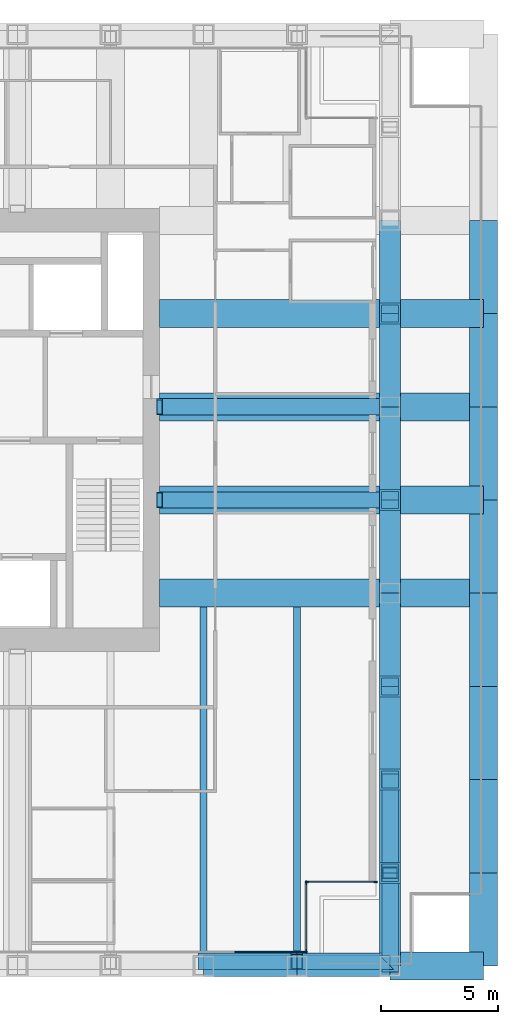
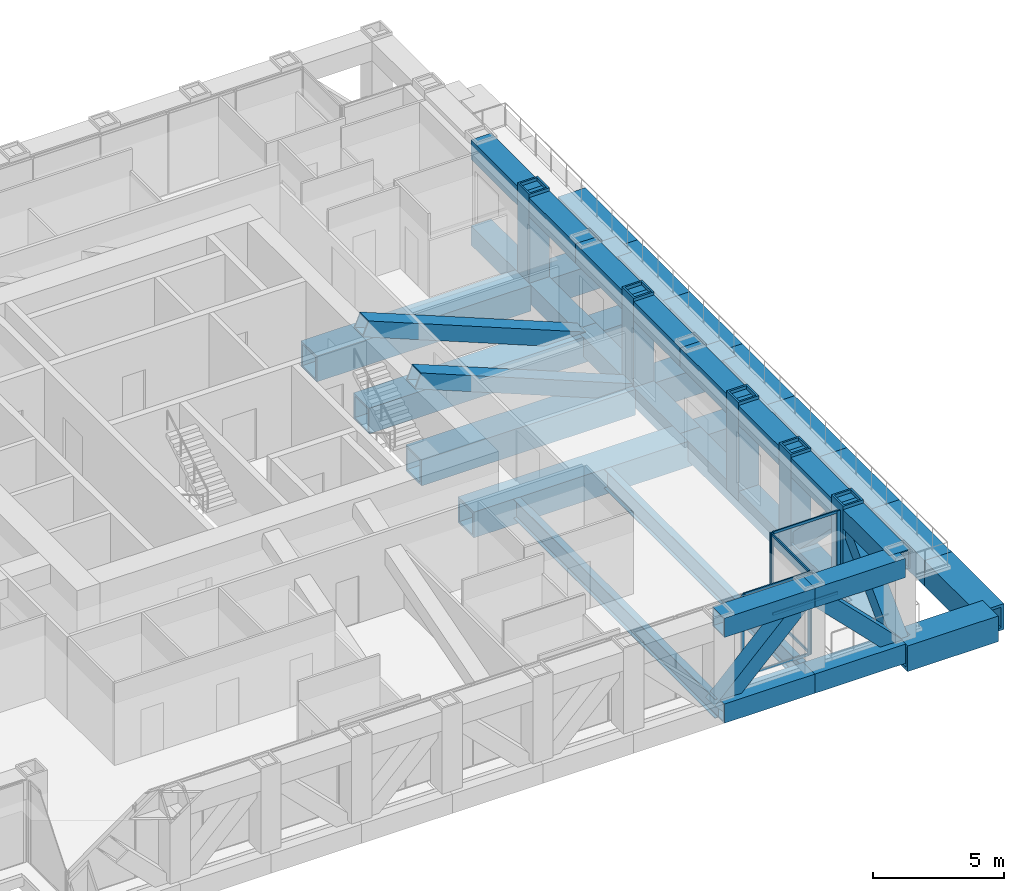
# One storey, part 5 of 14: 34 beams, 23 members, 3 elements without a shape of their own.
"""IFC4 building model written with IfcOpenShell, lengths in metres."""

from ifc_helpers import new_model, si_unit, direction, frame, origin, origin_2d, place, context, subcontext, project, spatial, rectangle, hollow_rectangle, i_section, extrude, material, material_profile, profile_set, type_object, element, aggregate, save


model = new_model("IFC4")

# Units and contexts
model_context = context("Model", 3, precision=1e-05, world=origin(), true_north=direction((0.0, 1.0)))
body_context = subcontext(model_context, "Body", "Model", "MODEL_VIEW")
ifc_project = project(units=[si_unit("LENGTHUNIT", "METRE"), si_unit("AREAUNIT", "SQUARE_METRE"), si_unit("VOLUMEUNIT", "CUBIC_METRE"), si_unit("PLANEANGLEUNIT", "RADIAN"), si_unit("MASSUNIT", "GRAM", prefix="KILO")], contexts=[model_context])

# Site, building, storey
site_placement = place(None, origin())
site = spatial("IfcSite", under=ifc_project, at=site_placement, CompositionType="ELEMENT")
building_placement = place(site_placement, origin())
building = spatial("IfcBuilding", under=site, at=building_placement, Name="Rimbunsela Tower", CompositionType="ELEMENT")
storey_placement = place(building_placement, frame((0.0, 0.0, 270.199951171875)))
storey = spatial("IfcBuildingStorey", under=building, at=storey_placement, Name="L65", CompositionType="ELEMENT", Elevation=270.199951171875)

# Beams
ifc_material_1 = material(Name="Steel BJ 55 (fy 410 MPa)", Category="steel")
ifc_material_profile_1 = material_profile(ifc_material_1, hollow_rectangle(XDim=1.199951171875, YDim=1.199951171875, WallThickness=0.10009765625, at=origin_2d()), Name="BOX 1200x1200x100")
ifc_profile_set_1 = profile_set([ifc_material_profile_1], Name="Steel BJ 55 (fy 410 MPa)")
beam_type_1 = type_object("IfcBeamType", Name="Beam BOX 1200x1200x100", PredefinedType="BEAM", material=ifc_profile_set_1)
beam_1_placement = place(storey_placement, frame((36.10009765625, 20.0, -0.75), z_axis=(1.0, 0.0, 0.0), x_axis=(0.0, 1.0, 0.0)))
element("IfcBeam", 1, at=beam_1_placement, inside=storey, type_object=beam_type_1, Name="Beam B5 L65", PredefinedType="BEAM", context=body_context, shape_type="SweptSolid", body=[
    extrude(hollow_rectangle(XDim=1.199951171875, YDim=1.199951171875, WallThickness=0.10009765625, at=origin_2d()), origin(), (0.0, 0.0, 1.0), 9.89990234375),
])
beam_2_placement = place(storey_placement, frame((36.10009765625, 24.0, -0.75), z_axis=(1.0, 0.0, 0.0), x_axis=(0.0, 1.0, 0.0)))
element("IfcBeam", 2, at=beam_2_placement, inside=storey, type_object=beam_type_1, Name="Beam B5 L65", PredefinedType="BEAM", context=body_context, shape_type="SweptSolid", body=[
    extrude(hollow_rectangle(XDim=1.199951171875, YDim=1.199951171875, WallThickness=0.10009765625, at=origin_2d()), origin(), (0.0, 0.0, 1.0), 9.449951171875),
])
beam_3_placement = place(storey_placement, frame((36.10009765625, 28.0, -0.75), z_axis=(1.0, 0.0, 0.0), x_axis=(0.0, 1.0, 0.0)))
element("IfcBeam", 3, at=beam_3_placement, inside=storey, type_object=beam_type_1, Name="Beam B5 L65", PredefinedType="BEAM", context=body_context, shape_type="SweptSolid", body=[
    extrude(hollow_rectangle(XDim=1.199951171875, YDim=1.199951171875, WallThickness=0.10009765625, at=origin_2d()), origin(), (0.0, 0.0, 1.0), 9.89990234375),
])
beam_4_placement = place(storey_placement, frame((36.10009765625, 32.0, -0.75), z_axis=(1.0, 0.0, 0.0), x_axis=(0.0, 1.0, 0.0)))
element("IfcBeam", 4, at=beam_4_placement, inside=storey, type_object=beam_type_1, Name="Beam B5 L65", PredefinedType="BEAM", context=body_context, shape_type="SweptSolid", body=[
    extrude(hollow_rectangle(XDim=1.199951171875, YDim=1.199951171875, WallThickness=0.10009765625, at=origin_2d()), origin(), (0.0, 0.0, 1.0), 9.449951171875),
])
ifc_material_2 = material(Name="Steel BJ 55 (fy 410 MPa)", Category="steel")
ifc_material_profile_2 = material_profile(ifc_material_2, hollow_rectangle(XDim=1.199951171875, YDim=1.199951171875, WallThickness=0.125, at=origin_2d()), Name="BOX 1200x1200x125")
ifc_profile_set_2 = profile_set([ifc_material_profile_2], Name="Steel BJ 55 (fy 410 MPa)")
beam_type_2 = type_object("IfcBeamType", Name="Beam BOX 1200x1200x125", PredefinedType="BEAM", material=ifc_profile_set_2)
for number, where, z_axis, x_axis, name in (
    (5, (46.0, 4.0, -0.75), (1.0, 0.0, 0.0), (0.0, 1.0, 0.0), "Beam B4 L65"),
    (6, (46.0, 20.0, -0.75), (1.0, 0.0, 0.0), (0.0, 1.0, 0.0), "Beam B4 L65"),
):
    element("IfcBeam", number, at=place(storey_placement, frame(where, z_axis=z_axis, x_axis=x_axis)), inside=storey, type_object=beam_type_2, Name=name, PredefinedType="BEAM", context=body_context, shape_type="SweptSolid", body=[
        extrude(hollow_rectangle(XDim=1.199951171875, YDim=1.199951171875, WallThickness=0.125, at=origin_2d()), origin(), (0.0, 0.0, 1.0), 4.0),
    ])
beam_5_placement = place(storey_placement, frame((46.449951171875, 24.0, -0.75), z_axis=(1.0, 0.0, 0.0), x_axis=(0.0, 1.0, 0.0)))
element("IfcBeam", 7, at=beam_5_placement, inside=storey, type_object=beam_type_2, Name="Beam B4 L65", PredefinedType="BEAM", context=body_context, shape_type="SweptSolid", body=[
    extrude(hollow_rectangle(XDim=1.199951171875, YDim=1.199951171875, WallThickness=0.125, at=origin_2d()), origin(), (0.0, 0.0, 1.0), 3.550048828125),
])
beam_6_placement = place(storey_placement, frame((46.0, 28.0, -0.75), z_axis=(1.0, 0.0, 0.0), x_axis=(0.0, 1.0, 0.0)))
element("IfcBeam", 8, at=beam_6_placement, inside=storey, type_object=beam_type_2, Name="Beam B4 L65", PredefinedType="BEAM", context=body_context, shape_type="SweptSolid", body=[
    extrude(hollow_rectangle(XDim=1.199951171875, YDim=1.199951171875, WallThickness=0.125, at=origin_2d()), origin(), (0.0, 0.0, 1.0), 4.0),
])
beam_7_placement = place(storey_placement, frame((46.449951171875, 32.0, -0.75), z_axis=(1.0, 0.0, 0.0), x_axis=(0.0, 1.0, 0.0)))
element("IfcBeam", 9, at=beam_7_placement, inside=storey, type_object=beam_type_2, Name="Beam B4 L65", PredefinedType="BEAM", context=body_context, shape_type="SweptSolid", body=[
    extrude(hollow_rectangle(XDim=1.199951171875, YDim=1.199951171875, WallThickness=0.125, at=origin_2d()), origin(), (0.0, 0.0, 1.0), 3.550048828125),
])
for number, where, z_axis, x_axis, name in (
    (10, (50.0, 4.0, -0.75), (0.0, 1.0, 0.0), (-1.0, 0.0, 0.0), "Beam B4 L65"),
    (11, (50.0, 8.0, -0.75), (0.0, 1.0, 0.0), (-1.0, 0.0, 0.0), "Beam B4 L65"),
    (12, (50.0, 12.0, -0.75), (0.0, 1.0, 0.0), (-1.0, 0.0, 0.0), "Beam B4 L65"),
    (13, (50.0, 16.0, -0.75), (0.0, 1.0, 0.0), (-1.0, 0.0, 0.0), "Beam B4 L65"),
    (14, (50.0, 20.0, -0.75), (0.0, 1.0, 0.0), (-1.0, 0.0, 0.0), "Beam B4 L65"),
    (15, (50.0, 24.0, -0.75), (0.0, 1.0, 0.0), (-1.0, 0.0, 0.0), "Beam B4 L65"),
    (16, (50.0, 28.0, -0.75), (0.0, 1.0, 0.0), (-1.0, 0.0, 0.0), "Beam B4 L65"),
    (17, (50.0, 32.0, -0.75), (0.0, 1.0, 0.0), (-1.0, 0.0, 0.0), "Beam B4 L65"),
):
    element("IfcBeam", number, at=place(storey_placement, frame(where, z_axis=z_axis, x_axis=x_axis)), inside=storey, type_object=beam_type_2, Name=name, PredefinedType="BEAM", context=body_context, shape_type="SweptSolid", body=[
        extrude(hollow_rectangle(XDim=1.199951171875, YDim=1.199951171875, WallThickness=0.125, at=origin_2d()), origin(), (0.0, 0.0, 1.0), 4.0),
    ])
ifc_material_3 = material(Name="Steel BJ 55 (fy 410 MPa)", Category="steel")
ifc_material_profile_3 = material_profile(ifc_material_3, i_section(OverallWidth=0.300048828125, OverallDepth=0.89990234375, WebThickness=0.01611328125, FlangeThickness=0.028076171875, FilletRadius=0.028076171875, at=origin_2d()), Name="H 900x300x16x28")
ifc_profile_set_3 = profile_set([ifc_material_profile_3], Name="Steel BJ 55 (fy 410 MPa)")
beam_type_3 = type_object("IfcBeamType", Name="Beam H 900x300x16x28", PredefinedType="BEAM", material=ifc_profile_set_3)
for number, where, z_axis, x_axis, name in (
    (18, (38.0, 4.0, -0.599853515625), (0.0, 1.0, 0.0), (-1.0, 0.0, 0.0), "Beam B2 L65"),
    (19, (42.0, 4.0, -0.599853515625), (0.0, 1.0, 0.0), (-1.0, 0.0, 0.0), "Beam B2 L65"),
):
    element("IfcBeam", number, at=place(storey_placement, frame(where, z_axis=z_axis, x_axis=x_axis)), inside=storey, type_object=beam_type_3, Name=name, PredefinedType="BEAM", context=body_context, shape_type="SweptSolid", body=[
        extrude(i_section(OverallWidth=0.300048828125, OverallDepth=0.89990234375, WebThickness=0.01611328125, FlangeThickness=0.028076171875, FilletRadius=0.028076171875, at=origin_2d()), origin(), (0.0, 0.0, 1.0), 15.39990234375),
    ])

# Curtain wall, members
ifc_material_4 = material(Name="Aluminium curtain wall", Category="aluminium")
curtain_wall_type_1 = type_object("IfcCurtainWallType", Name="Corner glazing", PredefinedType="USERDEFINED", material=ifc_material_4)
curtain_wall_1_placement = place(storey_placement, origin())
curtain_wall_1 = element("IfcCurtainWall", 20, at=curtain_wall_1_placement, inside=storey, type_object=curtain_wall_type_1, Name="Corner glazing L65", ObjectType="CORNER GLAZING", PredefinedType="USERDEFINED")
ifc_material_5 = material(Name="Aluminium mullion", Category="aluminium")
ifc_material_profile_4 = material_profile(ifc_material_5, rectangle(XDim=0.06005859375, YDim=0.159912109375, at=origin_2d()), Name="Mullion 60x160")
ifc_profile_set_4 = profile_set([ifc_material_profile_4], Name="Aluminium mullion")
member_type_1 = type_object("IfcMemberType", Name="Curtain wall mullion 60x160", PredefinedType="MULLION", material=ifc_profile_set_4)
member_1_placement = place(storey_placement, frame((42.39990234375, 4.6298828125, 0.0), z_axis=(0.0, 0.0, 1.0), x_axis=(-1.0, 0.0, 0.0)))
member_1 = element("IfcMember", 21, at=member_1_placement, type_object=member_type_1, Name="CW5 mullion 1", PredefinedType="MULLION", context=body_context, shape_type="SweptSolid", body=[
    extrude(rectangle(XDim=0.06005859375, YDim=0.159912109375, at=origin_2d()), origin(), (0.0, 0.0, 1.0), 3.85009765625),
])
member_2_placement = place(storey_placement, frame((42.39990234375, 7.570068359375, 0.0), z_axis=(0.0, 0.0, 1.0), x_axis=(-1.0, 0.0, 0.0)))
member_2 = element("IfcMember", 22, at=member_2_placement, type_object=member_type_1, Name="CW5 mullion 2", PredefinedType="MULLION", context=body_context, shape_type="SweptSolid", body=[
    extrude(rectangle(XDim=0.06005859375, YDim=0.159912109375, at=origin_2d()), origin(), (0.0, 0.0, 1.0), 3.85009765625),
])

curtain_wall_2_placement = place(storey_placement, origin())
curtain_wall_2 = element("IfcCurtainWall", 23, at=curtain_wall_2_placement, inside=storey, type_object=curtain_wall_type_1, Name="Corner glazing L65", ObjectType="CORNER GLAZING", PredefinedType="USERDEFINED")
member_3_placement = place(storey_placement, frame((42.429931640625, 7.60009765625, 0.0), z_axis=(0.0, 0.0, 1.0), x_axis=(0.0, 1.0, 0.0)))
member_3 = element("IfcMember", 24, at=member_3_placement, type_object=member_type_1, Name="CW5 mullion 1", PredefinedType="MULLION", context=body_context, shape_type="SweptSolid", body=[
    extrude(rectangle(XDim=0.06005859375, YDim=0.159912109375, at=origin_2d()), origin(), (0.0, 0.0, 1.0), 3.85009765625),
])
member_4_placement = place(storey_placement, frame((45.3701171875, 7.60009765625, 0.0), z_axis=(0.0, 0.0, 1.0), x_axis=(0.0, 1.0, 0.0)))
member_4 = element("IfcMember", 25, at=member_4_placement, type_object=member_type_1, Name="CW5 mullion 2", PredefinedType="MULLION", context=body_context, shape_type="SweptSolid", body=[
    extrude(rectangle(XDim=0.06005859375, YDim=0.159912109375, at=origin_2d()), origin(), (0.0, 0.0, 1.0), 3.85009765625),
])

ifc_material_6 = material(Name="Aluminium curtain wall", Category="aluminium")
curtain_wall_type_2 = type_object("IfcCurtainWallType", Name="Exoskeleton storey infill", PredefinedType="USERDEFINED", material=ifc_material_6)
curtain_wall_3_placement = place(storey_placement, origin())
curtain_wall_3 = element("IfcCurtainWall", 26, at=curtain_wall_3_placement, inside=storey, type_object=curtain_wall_type_2, Name="Exoskeleton storey infill L65", ObjectType="EXOSKELETON STOREY INFILL", PredefinedType="USERDEFINED")
member_5_placement = place(storey_placement, frame((39.418212890625, 4.60009765625, 0.0), z_axis=(0.0, 0.0, 1.0), x_axis=(0.0, 1.0, 0.0)))
member_5 = element("IfcMember", 27, at=member_5_placement, type_object=member_type_1, Name="CW2 mullion 11", PredefinedType="MULLION", context=body_context, shape_type="SweptSolid", body=[
    extrude(rectangle(XDim=0.06005859375, YDim=0.159912109375, at=origin_2d()), origin(), (0.0, 0.0, 1.0), 3.85009765625),
])
member_6_placement = place(storey_placement, frame((42.3701171875, 4.60009765625, 0.0), z_axis=(0.0, 0.0, 1.0), x_axis=(0.0, 1.0, 0.0)))
member_6 = element("IfcMember", 28, at=member_6_placement, type_object=member_type_1, Name="CW2 mullion 12", PredefinedType="MULLION", context=body_context, shape_type="SweptSolid", body=[
    extrude(rectangle(XDim=0.06005859375, YDim=0.159912109375, at=origin_2d()), origin(), (0.0, 0.0, 1.0), 3.85009765625),
])

# Member
ifc_material_7 = material(Name="Aluminium transom", Category="aluminium")
ifc_material_profile_5 = material_profile(ifc_material_7, rectangle(XDim=0.06005859375, YDim=0.1201171875, at=origin_2d()), Name="Transom 60x120")
ifc_profile_set_5 = profile_set([ifc_material_profile_5], Name="Aluminium transom")
member_type_2 = type_object("IfcMemberType", Name="Curtain wall transom 60x120", PredefinedType="USERDEFINED", material=ifc_profile_set_5)
member_7_placement = place(storey_placement, frame((42.39990234375, 4.659912109375, 0.030029296875), z_axis=(0.0, 1.0, 0.0), x_axis=(-1.0, 0.0, 0.0)))
member_7 = element("IfcMember", 29, at=member_7_placement, type_object=member_type_2, Name="CW5 transom 1.1", ObjectType="TRANSOM", PredefinedType="USERDEFINED", context=body_context, shape_type="SweptSolid", body=[
    extrude(rectangle(XDim=0.06005859375, YDim=0.1201171875, at=origin_2d()), origin(), (0.0, 0.0, 1.0), 2.880126953125),
])

member_8_placement = place(storey_placement, frame((42.39990234375, 4.659912109375, 3.820068359375), z_axis=(0.0, 1.0, 0.0), x_axis=(-1.0, 0.0, 0.0)))
member_8 = element("IfcMember", 30, at=member_8_placement, type_object=member_type_2, Name="CW5 transom 1.2", ObjectType="TRANSOM", PredefinedType="USERDEFINED", context=body_context, shape_type="SweptSolid", body=[
    extrude(rectangle(XDim=0.06005859375, YDim=0.1201171875, at=origin_2d()), origin(), (0.0, 0.0, 1.0), 2.880126953125),
])

aggregate(curtain_wall_1, [member_1, member_2, member_7, member_8])

member_9_placement = place(storey_placement, frame((42.4599609375, 7.60009765625, 0.030029296875), z_axis=(1.0, 0.0, 0.0), x_axis=(0.0, 1.0, 0.0)))
member_9 = element("IfcMember", 31, at=member_9_placement, type_object=member_type_2, Name="CW5 transom 1.1", ObjectType="TRANSOM", PredefinedType="USERDEFINED", context=body_context, shape_type="SweptSolid", body=[
    extrude(rectangle(XDim=0.06005859375, YDim=0.1201171875, at=origin_2d()), origin(), (0.0, 0.0, 1.0), 2.880126953125),
])

member_10_placement = place(storey_placement, frame((42.4599609375, 7.60009765625, 3.820068359375), z_axis=(1.0, 0.0, 0.0), x_axis=(0.0, 1.0, 0.0)))
member_10 = element("IfcMember", 32, at=member_10_placement, type_object=member_type_2, Name="CW5 transom 1.2", ObjectType="TRANSOM", PredefinedType="USERDEFINED", context=body_context, shape_type="SweptSolid", body=[
    extrude(rectangle(XDim=0.06005859375, YDim=0.1201171875, at=origin_2d()), origin(), (0.0, 0.0, 1.0), 2.880126953125),
])

aggregate(curtain_wall_2, [member_3, member_4, member_9, member_10])

member_11_placement = place(storey_placement, frame((39.4482421875, 4.60009765625, 0.030029296875), z_axis=(1.0, 0.0, 0.0), x_axis=(0.0, 1.0, 0.0)))
member_11 = element("IfcMember", 33, at=member_11_placement, type_object=member_type_2, Name="CW2 transom 11.1", ObjectType="TRANSOM", PredefinedType="USERDEFINED", context=body_context, shape_type="SweptSolid", body=[
    extrude(rectangle(XDim=0.06005859375, YDim=0.1201171875, at=origin_2d()), origin(), (0.0, 0.0, 1.0), 2.891845703125),
])

member_12_placement = place(storey_placement, frame((39.4482421875, 4.60009765625, 3.820068359375), z_axis=(1.0, 0.0, 0.0), x_axis=(0.0, 1.0, 0.0)))
member_12 = element("IfcMember", 34, at=member_12_placement, type_object=member_type_2, Name="CW2 transom 11.2", ObjectType="TRANSOM", PredefinedType="USERDEFINED", context=body_context, shape_type="SweptSolid", body=[
    extrude(rectangle(XDim=0.06005859375, YDim=0.1201171875, at=origin_2d()), origin(), (0.0, 0.0, 1.0), 2.891845703125),
])

aggregate(curtain_wall_3, [member_5, member_6, member_11, member_12])

# Members
ifc_material_8 = material(Name="Steel BJ 55 (fy 410 MPa)", Category="steel")
ifc_material_profile_6 = material_profile(ifc_material_8, hollow_rectangle(XDim=0.699951171875, YDim=0.699951171875, WallThickness=0.050048828125, at=origin_2d()), Name="BOX 700x700x50")
ifc_profile_set_6 = profile_set([ifc_material_profile_6], Name="Steel BJ 55 (fy 410 MPa)")
member_type_3 = type_object("IfcMemberType", Name="Outrigger brace BOX 700x700x50", PredefinedType="BRACE", material=ifc_profile_set_6)
for number, where, z_axis, x_axis, name in (
    (35, (46.0, 28.0, -0.599853515625), (-0.927178005054, 0.0, 0.374621071142), (0.0, -1.0, 0.0), "Outrigger brace OB2 E L65"),
    (36, (46.0, 24.0, -0.599853515625), (-0.927178005054, 0.0, 0.374621071142), (0.0, -1.0, 0.0), "Outrigger brace OB2 E L65"),
):
    element("IfcMember", number, at=place(storey_placement, frame(where, z_axis=z_axis, x_axis=x_axis)), inside=storey, type_object=member_type_3, Name=name, PredefinedType="BRACE", context=body_context, shape_type="SweptSolid", body=[
        extrude(hollow_rectangle(XDim=0.699951171875, YDim=0.699951171875, WallThickness=0.050048828125, at=origin_2d()), origin(), (0.0, 0.0, 1.0), 10.677490234375),
    ])

# Beams
ifc_material_9 = material(Name="Steel BJ 55 (fy 410 MPa)", Category="steel")
ifc_material_profile_7 = material_profile(ifc_material_9, hollow_rectangle(XDim=0.89990234375, YDim=0.89990234375, WallThickness=0.06005859375, at=origin_2d()), Name="BOX 900x900x60")
ifc_profile_set_7 = profile_set([ifc_material_profile_7], Name="Steel BJ 55 (fy 410 MPa)")
beam_type_4 = type_object("IfcBeamType", Name="Truss chord BOX 900x900x60", PredefinedType="USERDEFINED", material=ifc_profile_set_7)
for number, where, z_axis, x_axis, name in (
    (37, (38.0, 4.0, 3.400146484375), (1.0, 0.0, 0.0), (0.0, 1.0, 0.0), "Truss top chord TC4 S face L65"),
    (38, (42.0, 4.0, 3.400146484375), (1.0, 0.0, 0.0), (0.0, 1.0, 0.0), "Truss top chord TC4 S face L65"),
    (39, (46.0, 4.0, 3.400146484375), (0.0, 1.0, 0.0), (-1.0, 0.0, 0.0), "Truss top chord TC4 E face L65"),
    (40, (46.0, 8.0, 3.400146484375), (0.0, 1.0, 0.0), (-1.0, 0.0, 0.0), "Truss top chord TC4 E face L65"),
    (41, (46.0, 12.0, 3.400146484375), (0.0, 1.0, 0.0), (-1.0, 0.0, 0.0), "Truss top chord TC4 E face L65"),
    (42, (46.0, 16.0, 3.400146484375), (0.0, 1.0, 0.0), (-1.0, 0.0, 0.0), "Truss top chord TC4 E face L65"),
    (43, (46.0, 20.0, 3.400146484375), (0.0, 1.0, 0.0), (-1.0, 0.0, 0.0), "Truss top chord TC4 E face L65"),
    (44, (46.0, 24.0, 3.400146484375), (0.0, 1.0, 0.0), (-1.0, 0.0, 0.0), "Truss top chord TC4 E face L65"),
    (45, (46.0, 28.0, 3.400146484375), (0.0, 1.0, 0.0), (-1.0, 0.0, 0.0), "Truss top chord TC4 E face L65"),
    (46, (46.0, 32.0, 3.400146484375), (0.0, 1.0, 0.0), (-1.0, 0.0, 0.0), "Truss top chord TC4 E face L65"),
    (47, (38.0, 4.0, -0.599853515625), (1.0, 0.0, 0.0), (0.0, 1.0, 0.0), "Truss bottom chord TC4 S face L65"),
    (48, (42.0, 4.0, -0.599853515625), (1.0, 0.0, 0.0), (0.0, 1.0, 0.0), "Truss bottom chord TC4 S face L65"),
):
    element("IfcBeam", number, at=place(storey_placement, frame(where, z_axis=z_axis, x_axis=x_axis)), inside=storey, type_object=beam_type_4, Name=name, ObjectType="TRUSS CHORD", PredefinedType="USERDEFINED", context=body_context, shape_type="SweptSolid", body=[
        extrude(hollow_rectangle(XDim=0.89990234375, YDim=0.89990234375, WallThickness=0.06005859375, at=origin_2d()), origin(), (0.0, 0.0, 1.0), 4.0),
    ])
beam_8_placement = place(storey_placement, frame((46.0, 4.0, -0.599853515625), z_axis=(0.0, 1.0, 0.0), x_axis=(-1.0, 0.0, 0.0)))
element("IfcBeam", 49, at=beam_8_placement, inside=storey, type_object=beam_type_4, Name="Truss bottom chord TC4 E face L65", ObjectType="TRUSS CHORD", PredefinedType="USERDEFINED", context=body_context, shape_type="SweptSolid", body=[
    extrude(hollow_rectangle(XDim=0.89990234375, YDim=0.89990234375, WallThickness=0.06005859375, at=origin_2d()), origin(), (0.0, 0.0, 1.0), 16.0),
])
for number, where, z_axis, x_axis, name in (
    (50, (46.0, 20.0, -0.599853515625), (0.0, 1.0, 0.0), (-1.0, 0.0, 0.0), "Truss bottom chord TC4 E face L65"),
    (51, (46.0, 28.0, -0.599853515625), (0.0, 1.0, 0.0), (-1.0, 0.0, 0.0), "Truss bottom chord TC4 E face L65"),
):
    element("IfcBeam", number, at=place(storey_placement, frame(where, z_axis=z_axis, x_axis=x_axis)), inside=storey, type_object=beam_type_4, Name=name, ObjectType="TRUSS CHORD", PredefinedType="USERDEFINED", context=body_context, shape_type="SweptSolid", body=[
        extrude(hollow_rectangle(XDim=0.89990234375, YDim=0.89990234375, WallThickness=0.06005859375, at=origin_2d()), origin(), (0.0, 0.0, 1.0), 8.0),
    ])

# Members
ifc_material_10 = material(Name="Steel BJ 55 (fy 410 MPa)", Category="steel")
ifc_material_profile_8 = material_profile(ifc_material_10, hollow_rectangle(XDim=0.699951171875, YDim=0.699951171875, WallThickness=0.050048828125, at=origin_2d()), Name="BOX 700x700x50")
ifc_profile_set_8 = profile_set([ifc_material_profile_8], Name="Steel BJ 55 (fy 410 MPa)")
member_type_4 = type_object("IfcMemberType", Name="Truss diagonal BOX 700x700x50", PredefinedType="BRACE", material=ifc_profile_set_8)
for number, where, z_axis, x_axis, name in (
    (52, (38.0, 4.199951171875, -0.599853515625), (0.707106781187, 0.0, 0.707106781187), (0.0, 1.0, 0.0), "Truss diagonal TD4 S face L65"),
    (53, (42.0, 4.199951171875, 3.400146484375), (0.707106781187, 0.0, -0.707106781187), (0.0, 1.0, 0.0), "Truss diagonal TD4 S face L65"),
    (54, (46.0, 4.0, -0.599853515625), (0.0, 0.707106781187, 0.707106781187), (-1.0, 0.0, 0.0), "Truss diagonal TD4 E face L65"),
    (55, (46.0, 8.0, 3.400146484375), (0.0, 0.707106781187, -0.707106781187), (-1.0, 0.0, 0.0), "Truss diagonal TD4 E face L65"),
):
    element("IfcMember", number, at=place(storey_placement, frame(where, z_axis=z_axis, x_axis=x_axis)), inside=storey, type_object=member_type_4, Name=name, PredefinedType="BRACE", context=body_context, shape_type="SweptSolid", body=[
        extrude(hollow_rectangle(XDim=0.699951171875, YDim=0.699951171875, WallThickness=0.050048828125, at=origin_2d()), origin(), (0.0, 0.0, 1.0), 5.65673828125),
    ])
ifc_material_11 = material(Name="Steel BJ 55 (fy 410 MPa)", Category="steel")
ifc_material_profile_9 = material_profile(ifc_material_11, hollow_rectangle(XDim=0.89990234375, YDim=0.89990234375, WallThickness=0.080078125, at=origin_2d()), Name="BOX 900x900x80")
ifc_profile_set_9 = profile_set([ifc_material_profile_9], Name="Steel BJ 55 (fy 410 MPa)")
member_type_5 = type_object("IfcMemberType", Name="Truss post BOX 900x900x80", PredefinedType="POST", material=ifc_profile_set_9)
for number, where, z_axis, x_axis, name in (
    (56, (46.0, 8.0, -0.599853515625), (0.0, 0.0, 1.0), (1.0, 0.0, 0.0), "Truss post TP3 14/D L65"),
    (57, (46.0, 12.0, -0.599853515625), (0.0, 0.0, 1.0), (1.0, 0.0, 0.0), "Truss post TP3 14/E L65"),
    (58, (46.0, 16.0, -0.599853515625), (0.0, 0.0, 1.0), (1.0, 0.0, 0.0), "Truss post TP3 14/F L65"),
    (59, (46.0, 24.0, -0.599853515625), (0.0, 0.0, 1.0), (1.0, 0.0, 0.0), "Truss post TP3 14/H L65"),
    (60, (46.0, 32.0, -0.599853515625), (0.0, 0.0, 1.0), (1.0, 0.0, 0.0), "Truss post TP3 14/K L65"),
):
    element("IfcMember", number, at=place(storey_placement, frame(where, z_axis=z_axis, x_axis=x_axis)), inside=storey, type_object=member_type_5, Name=name, PredefinedType="POST", context=body_context, shape_type="SweptSolid", body=[
        extrude(hollow_rectangle(XDim=0.89990234375, YDim=0.89990234375, WallThickness=0.080078125, at=origin_2d()), origin(), (0.0, 0.0, 1.0), 4.599853515625),
    ])

save(model, "model.ifc")
